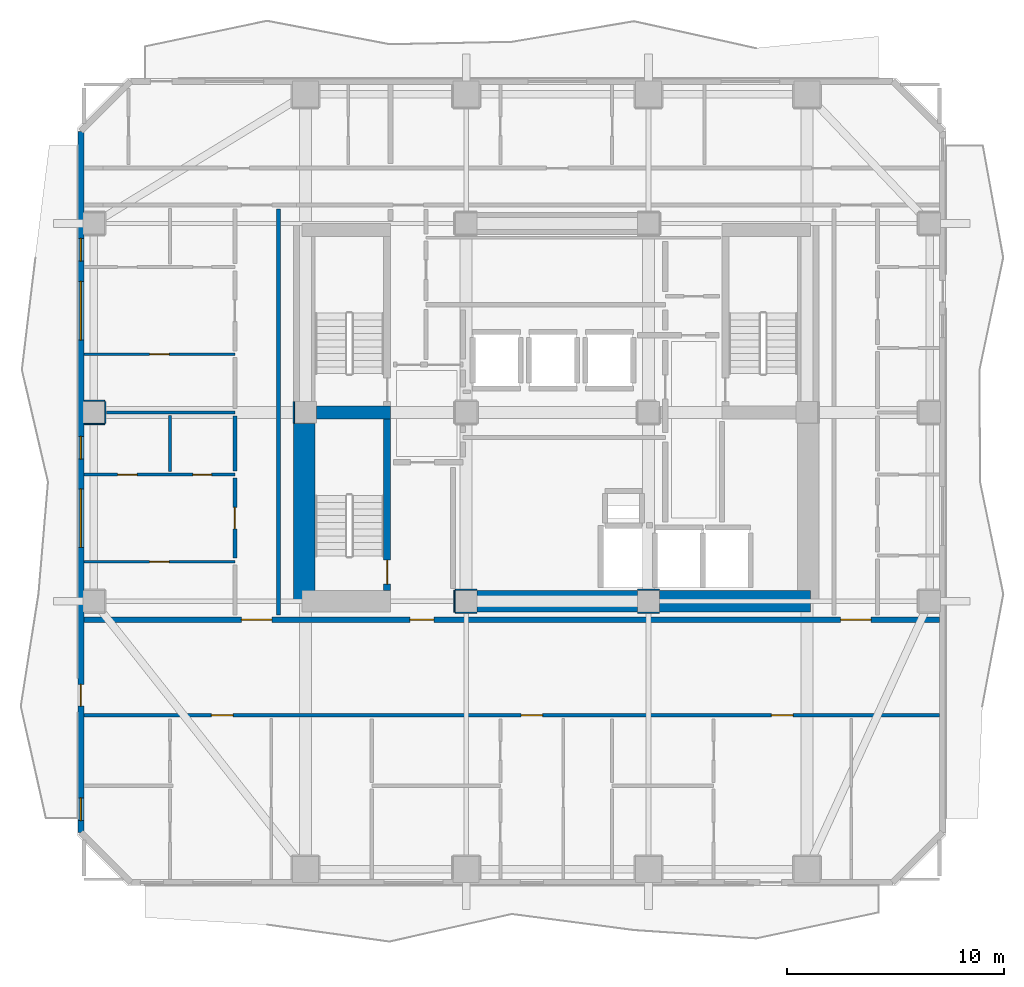
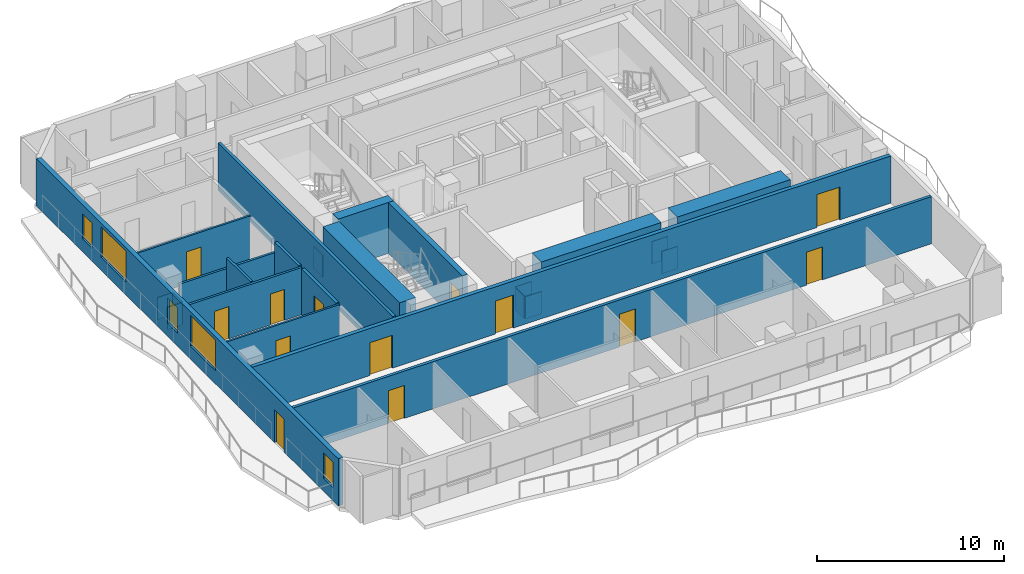
# One storey, part 3 of 11: 25 walls, 13 doors, 5 windows, 18 openings.
"""IFC4 building model written with IfcOpenShell, lengths in metres."""

from ifc_helpers import new_model, si_unit, direction, frame, frame_2d, origin, place, context, subcontext, project, spatial, rectangle, extrude, material, layer, layer_set, type_object, element, fill, save


model = new_model("IFC4")

# Units and contexts
model_context = context("Model", 3, precision=1e-05, world=origin(), true_north=direction((0.0, 1.0)))
body_context = subcontext(model_context, "Body", "Model", "MODEL_VIEW")
ifc_project = project(units=[si_unit("LENGTHUNIT", "METRE"), si_unit("AREAUNIT", "SQUARE_METRE"), si_unit("VOLUMEUNIT", "CUBIC_METRE"), si_unit("PLANEANGLEUNIT", "RADIAN"), si_unit("MASSUNIT", "GRAM", prefix="KILO")], contexts=[model_context])

# Site, building, storey
site_placement = place(None, origin())
site = spatial("IfcSite", under=ifc_project, at=site_placement, CompositionType="ELEMENT")
building_placement = place(site_placement, origin())
building = spatial("IfcBuilding", under=site, at=building_placement, Name="Solanera Arch Residences", CompositionType="ELEMENT")
storey_placement = place(building_placement, frame((0.0, 0.0, 109.39990234375)))
storey = spatial("IfcBuildingStorey", under=building, at=storey_placement, Name="L31", CompositionType="ELEMENT", Elevation=109.39990234375)

# Walls
ifc_material_1 = material(Name="Fire-Rated Gypsum Stud Partition", Category="gypsum")
ifc_layer_1 = layer(ifc_material_1, 0.06005859375)
ifc_layer_set_1 = layer_set([ifc_layer_1], Name="Fire-Rated Gypsum Stud Partition")
wall_type_1 = type_object("IfcWallType", Name="Column Acoustic Furring Wall 60", PredefinedType="PARTITIONING", material=ifc_layer_set_1)
for number, where, z_axis, x_axis, name in (
    (1, (20.300048828125, 21.468017578125, 0.0), (0.0, 0.0, 1.0), (1.0, 0.0, 0.0), "L31 Column Furring 1S"),
    (2, (20.300048828125, 22.531982421875, 0.0), (0.0, 0.0, 1.0), (1.0, 0.0, 0.0), "L31 Column Furring 1N"),
    (3, (20.26806640625, 21.5, 0.0), (0.0, 0.0, 1.0), (0.0, 1.0, 0.0), "L31 Column Furring 1W"),
    (4, (28.699951171875, 21.468017578125, 0.0), (0.0, 0.0, 1.0), (1.0, 0.0, 0.0), "L31 Column Furring 2S"),
    (5, (28.699951171875, 22.531982421875, 0.0), (0.0, 0.0, 1.0), (1.0, 0.0, 0.0), "L31 Column Furring 2N"),
):
    element("IfcWall", number, at=place(storey_placement, frame(where, z_axis=z_axis, x_axis=x_axis)), inside=storey, type_object=wall_type_1, Name=name, PredefinedType="PARTITIONING", context=body_context, shape_type="SweptSolid", body=[
        extrude(rectangle(XDim=1.0, YDim=0.06005859375, at=frame_2d((0.5, 0.0))), origin(), (0.0, 0.0, 1.0), 1.4501953125),
    ])
wall_1_placement = place(storey_placement, frame((12.867919921875, 30.2099609375, 0.0), z_axis=(0.0, 0.0, 1.0), x_axis=(0.0, 1.0, 0.0)))
element("IfcWall", 6, at=wall_1_placement, inside=storey, type_object=wall_type_1, Name="L31 Column Furring 5W", PredefinedType="PARTITIONING", context=body_context, shape_type="SweptSolid", body=[
    extrude(rectangle(XDim=0.97998046875, YDim=0.06005859375, at=frame_2d((0.489990234375, 0.0))), origin(), (0.0, 0.0, 1.0), 1.4501953125),
])
for number, where, z_axis, x_axis, name in (
    (7, (3.2099609375, 30.16796875, 0.0), (0.0, 0.0, 1.0), (1.0, 0.0, 0.0), "L31 Column Furring 19S"),
    (8, (3.2099609375, 31.23193359375, 0.0), (0.0, 0.0, 1.0), (1.0, 0.0, 0.0), "L31 Column Furring 19N"),
):
    element("IfcWall", number, at=place(storey_placement, frame(where, z_axis=z_axis, x_axis=x_axis)), inside=storey, type_object=wall_type_1, Name=name, PredefinedType="PARTITIONING", context=body_context, shape_type="SweptSolid", body=[
        extrude(rectangle(XDim=0.93994140625, YDim=0.06005859375, at=frame_2d((0.469970703125, 0.0))), origin(), (0.0, 0.0, 1.0), 1.4501953125),
    ])
wall_2_placement = place(storey_placement, frame((4.181884765625, 30.199951171875, 0.0), z_axis=(0.0, 0.0, 1.0), x_axis=(0.0, 1.0, 0.0)))
element("IfcWall", 9, at=wall_2_placement, inside=storey, type_object=wall_type_1, Name="L31 Column Furring 19E", PredefinedType="PARTITIONING", context=body_context, shape_type="SweptSolid", body=[
    extrude(rectangle(XDim=1.0, YDim=0.06005859375, at=frame_2d((0.5, 0.0))), origin(), (0.0, 0.0, 1.0), 1.4501953125),
])
ifc_material_2 = material(Name="Concrete C55/67 (f'c = 60 MPa)", Category="concrete")
ifc_layer_2 = layer(ifc_material_2, 1.0)
ifc_layer_set_2 = layer_set([ifc_layer_2], Name="Concrete C55/67 (f'c = 60 MPa)")
wall_type_2 = type_object("IfcWallType", Name="Core Shear Wall CW-1000", PredefinedType="SHEAR", material=ifc_layer_set_2)
wall_3_placement = place(storey_placement, frame((13.340087890625, 22.0, 0.0), z_axis=(0.0, 0.0, 1.0), x_axis=(0.0, 1.0, 0.0)))
element("IfcWall", 10, at=wall_3_placement, inside=storey, type_object=wall_type_2, Name="L31 West Core South Shear Wall", PredefinedType="SHEAR", context=body_context, shape_type="SweptSolid", body=[
    extrude(rectangle(XDim=8.195068359375, YDim=1.0, at=frame_2d((4.09765625, 0.0))), origin(), (0.0, 0.0, 1.0), 3.320068359375),
])
wall_4_placement = place(storey_placement, frame((29.705078125, 22.0, 0.0), z_axis=(0.0, 0.0, 1.0), x_axis=(1.0, 0.0, 0.0)))
element("IfcWall", 11, at=wall_4_placement, inside=storey, type_object=wall_type_2, Name="L31 South-East Core Shear Wall", PredefinedType="SHEAR", context=body_context, shape_type="SweptSolid", body=[
    extrude(rectangle(XDim=6.954833984375, YDim=1.0, at=frame_2d((3.4775390625, 0.0))), origin(), (0.0, 0.0, 1.0), 3.320068359375),
])
wall_5_placement = place(storey_placement, frame((21.304931640625, 22.0, 0.0), z_axis=(0.0, 0.0, 1.0), x_axis=(1.0, 0.0, 0.0)))
element("IfcWall", 12, at=wall_5_placement, inside=storey, type_object=wall_type_2, Name="L31 Central South Core Shear Wall", PredefinedType="SHEAR", context=body_context, shape_type="SweptSolid", body=[
    extrude(rectangle(XDim=7.39013671875, YDim=1.0, at=frame_2d((3.695068359375, 0.0))), origin(), (0.0, 0.0, 1.0), 3.320068359375),
])

# Wall, opening, door
ifc_material_3 = material(Name="Concrete C40/50 (f'c = 45 MPa)", Category="concrete")
ifc_layer_3 = layer(ifc_material_3, 0.320068359375)
ifc_layer_set_3 = layer_set([ifc_layer_3], Name="Concrete C40/50 (f'c = 45 MPa)")
wall_type_3 = type_object("IfcWallType", Name="Core Shear Wall CW-320", PredefinedType="SHEAR", material=ifc_layer_set_3)
wall_6_placement = place(storey_placement, frame((17.159912109375, 22.5, 0.0), z_axis=(0.0, 0.0, 1.0), x_axis=(0.0, 1.0, 0.0)))
wall_6 = element("IfcWall", 13, at=wall_6_placement, inside=storey, type_object=wall_type_3, Name="L31 Stair ST-T3 East Shear Wall", PredefinedType="SHEAR", context=body_context, shape_type="SweptSolid", body=[
    extrude(rectangle(XDim=7.89990234375, YDim=0.320068359375, at=frame_2d((3.949951171875, 0.0))), origin(), (0.0, 0.0, 1.0), 3.320068359375),
])
opening_1_placement = place(wall_6_placement, frame((0.2900390625, 0.0, 0.0)))
opening_1 = element("IfcOpeningElement", 14, at=opening_1_placement, cuts=wall_6, Name="Opening DF-01", PredefinedType="OPENING", context=body_context, shape_type="SweptSolid", body=[
    extrude(rectangle(XDim=1.10009765625, YDim=2.14990234375, at=frame_2d((0.550048828125, 1.074951171875))), frame((0.0, 0.169921875, 0.0), z_axis=(0.0, -1.0, 0.0), x_axis=(1.0, 0.0, 0.0)), (0.0, 0.0, 1.0), 0.3401),
])
ifc_material_4 = material(Name="Fire-Rated Architectural Hardwood", Category="wood")
door_type_1 = type_object("IfcDoorType", Name="Stair Exit Fire Door DF-01", OperationType="NOTDEFINED", PredefinedType="DOOR", material=ifc_material_4)
door_1_placement = place(opening_1_placement, origin())
door_1 = element("IfcDoor", 15, at=door_1_placement, inside=storey, type_object=door_type_1, Name="DR-L31-STAIR-ST-T3", OperationType="SINGLE_SWING_LEFT", OverallHeight=2.14990234375, OverallWidth=1.10009765625, PredefinedType="DOOR", context=body_context, shape_type="SweptSolid", body=[
    extrude(rectangle(XDim=1.10009765625, YDim=2.14990234375, at=frame_2d((0.550048828125, 1.074951171875))), frame((0.0, 0.02490234375, 0.0), z_axis=(0.0, -1.0, 0.0), x_axis=(1.0, 0.0, 0.0)), (0.0, 0.0, 1.0), 0.050048828125),
])
fill(opening_1, door_1)

# Wall
ifc_material_5 = material(Name="Concrete C40/50 (f'c = 45 MPa)", Category="concrete")
ifc_layer_4 = layer(ifc_material_5, 0.60009765625)
ifc_layer_set_4 = layer_set([ifc_layer_4], Name="Concrete C40/50 (f'c = 45 MPa)")
wall_type_4 = type_object("IfcWallType", Name="Core Shear Wall CW-600", PredefinedType="SHEAR", material=ifc_layer_set_4)
wall_7_placement = place(storey_placement, frame((13.905029296875, 30.699951171875, 0.0), z_axis=(0.0, 0.0, 1.0), x_axis=(1.0, 0.0, 0.0)))
element("IfcWall", 16, at=wall_7_placement, inside=storey, type_object=wall_type_4, Name="L31 West Stair Divider Shear Wall", PredefinedType="SHEAR", context=body_context, shape_type="SweptSolid", body=[
    extrude(rectangle(XDim=3.4150390625, YDim=0.60009765625, at=frame_2d((1.70751953125, 0.0))), origin(), (0.0, 0.0, 1.0), 3.320068359375),
])

# Wall, openings, doors
ifc_material_6 = material(Name="Autoclaved Aerated Concrete Blockwork", Category="masonry")
ifc_layer_5 = layer(ifc_material_6, 0.179931640625)
ifc_layer_set_5 = layer_set([ifc_layer_5], Name="Autoclaved Aerated Concrete Blockwork")
wall_type_5 = type_object("IfcWallType", Name="Corridor Fire Partition 180", PredefinedType="PARTITIONING", material=ifc_layer_set_5)
wall_8_placement = place(storey_placement, frame((3.20703125, 16.75, 0.0), z_axis=(0.0, 0.0, 1.0), x_axis=(1.0, 0.0, 0.0)))
wall_8 = element("IfcWall", 17, at=wall_8_placement, inside=storey, type_object=wall_type_5, Name="L31 Interior Partition H7", PredefinedType="PARTITIONING", context=body_context, shape_type="SweptSolid", body=[
    extrude(rectangle(XDim=39.385986328125, YDim=0.179931640625, at=frame_2d((19.69287109375, 0.0))), origin(), (0.0, 0.0, 1.0), 3.080078125),
])
opening_2_placement = place(wall_8_placement, frame((5.85791015625, 0.0, 0.0)))
opening_2 = element("IfcOpeningElement", 18, at=opening_2_placement, cuts=wall_8, Name="Opening DI-01", PredefinedType="OPENING", context=body_context, shape_type="SweptSolid", body=[
    extrude(rectangle(XDim=1.0, YDim=2.14990234375, at=frame_2d((0.5, 1.074951171875))), frame((0.0, 0.10009765625, 0.0), z_axis=(0.0, -1.0, 0.0), x_axis=(1.0, 0.0, 0.0)), (0.0, 0.0, 1.0), 0.1999),
])
opening_3_placement = place(wall_8_placement, frame((20.12109375, 0.0, 0.0)))
opening_3 = element("IfcOpeningElement", 19, at=opening_3_placement, cuts=wall_8, Name="Opening DI-01", PredefinedType="OPENING", context=body_context, shape_type="SweptSolid", body=[
    extrude(rectangle(XDim=1.0, YDim=2.14990234375, at=frame_2d((0.5, 1.074951171875))), frame((0.0, 0.10009765625, 0.0), z_axis=(0.0, -1.0, 0.0), x_axis=(1.0, 0.0, 0.0)), (0.0, 0.0, 1.0), 0.1999),
])
opening_4_placement = place(wall_8_placement, frame((31.654052734375, 0.0, 0.0)))
opening_4 = element("IfcOpeningElement", 20, at=opening_4_placement, cuts=wall_8, Name="Opening DI-01", PredefinedType="OPENING", context=body_context, shape_type="SweptSolid", body=[
    extrude(rectangle(XDim=1.0, YDim=2.14990234375, at=frame_2d((0.5, 1.074951171875))), frame((0.0, 0.10009765625, 0.0), z_axis=(0.0, -1.0, 0.0), x_axis=(1.0, 0.0, 0.0)), (0.0, 0.0, 1.0), 0.1999),
])
ifc_material_7 = material(Name="Fire-Rated Architectural Hardwood", Category="wood")
door_type_2 = type_object("IfcDoorType", Name="Unit Entrance Fire Door DI-01", OperationType="NOTDEFINED", PredefinedType="DOOR", material=ifc_material_7)
door_2_placement = place(opening_2_placement, origin())
door_2 = element("IfcDoor", 21, at=door_2_placement, inside=storey, type_object=door_type_2, Name="DR-L31-IN-017", OperationType="SINGLE_SWING_LEFT", OverallHeight=2.14990234375, OverallWidth=1.0, PredefinedType="DOOR", context=body_context, shape_type="SweptSolid", body=[
    extrude(rectangle(XDim=1.0, YDim=2.14990234375, at=frame_2d((0.5, 1.074951171875))), frame((0.0, 0.02490234375, 0.0), z_axis=(0.0, -1.0, 0.0), x_axis=(1.0, 0.0, 0.0)), (0.0, 0.0, 1.0), 0.050048828125),
])
fill(opening_2, door_2)
door_3_placement = place(opening_3_placement, origin())
door_3 = element("IfcDoor", 22, at=door_3_placement, inside=storey, type_object=door_type_2, Name="DR-L31-IN-021", OperationType="SINGLE_SWING_LEFT", OverallHeight=2.14990234375, OverallWidth=1.0, PredefinedType="DOOR", context=body_context, shape_type="SweptSolid", body=[
    extrude(rectangle(XDim=1.0, YDim=2.14990234375, at=frame_2d((0.5, 1.074951171875))), frame((0.0, 0.02490234375, 0.0), z_axis=(0.0, -1.0, 0.0), x_axis=(1.0, 0.0, 0.0)), (0.0, 0.0, 1.0), 0.050048828125),
])
fill(opening_3, door_3)
door_4_placement = place(opening_4_placement, origin())
door_4 = element("IfcDoor", 23, at=door_4_placement, inside=storey, type_object=door_type_2, Name="DR-L31-IN-025", OperationType="SINGLE_SWING_LEFT", OverallHeight=2.14990234375, OverallWidth=1.0, PredefinedType="DOOR", context=body_context, shape_type="SweptSolid", body=[
    extrude(rectangle(XDim=1.0, YDim=2.14990234375, at=frame_2d((0.5, 1.074951171875))), frame((0.0, 0.02490234375, 0.0), z_axis=(0.0, -1.0, 0.0), x_axis=(1.0, 0.0, 0.0)), (0.0, 0.0, 1.0), 0.050048828125),
])
fill(opening_4, door_4)

# Wall, opening, door
wall_9_placement = place(storey_placement, frame((10.14990234375, 23.98193359375, 0.0), z_axis=(0.0, 0.0, 1.0), x_axis=(0.0, 1.0, 0.0)))
wall_9 = element("IfcWall", 24, at=wall_9_placement, inside=storey, type_object=wall_type_5, Name="L31 Interior Partition V9 2", PredefinedType="PARTITIONING", context=body_context, shape_type="SweptSolid", body=[
    extrude(rectangle(XDim=3.68505859375, YDim=0.179931640625, at=frame_2d((1.842529296875, 0.0))), origin(), (0.0, 0.0, 1.0), 3.080078125),
])
opening_5_placement = place(wall_9_placement, frame((1.347900390625, 0.0, 0.0)))
opening_5 = element("IfcOpeningElement", 25, at=opening_5_placement, cuts=wall_9, Name="Opening DI-01", PredefinedType="OPENING", context=body_context, shape_type="SweptSolid", body=[
    extrude(rectangle(XDim=1.0, YDim=2.14990234375, at=frame_2d((0.5, 1.074951171875))), frame((0.0, 0.10009765625, 0.0), z_axis=(0.0, -1.0, 0.0), x_axis=(1.0, 0.0, 0.0)), (0.0, 0.0, 1.0), 0.1999),
])
door_5_placement = place(opening_5_placement, origin())
door_5 = element("IfcDoor", 26, at=door_5_placement, inside=storey, type_object=door_type_2, Name="DR-L31-IN-036", OperationType="SINGLE_SWING_RIGHT", OverallHeight=2.14990234375, OverallWidth=1.0, PredefinedType="DOOR", context=body_context, shape_type="SweptSolid", body=[
    extrude(rectangle(XDim=1.0, YDim=2.14990234375, at=frame_2d((0.5, 1.074951171875))), frame((0.0, 0.02490234375, 0.0), z_axis=(0.0, -1.0, 0.0), x_axis=(1.0, 0.0, 0.0)), (0.0, 0.0, 1.0), 0.050048828125),
])
fill(opening_5, door_5)

# Walls
wall_10_placement = place(storey_placement, frame((10.14990234375, 28.0029296875, 0.0), z_axis=(0.0, 0.0, 1.0), x_axis=(0.0, 1.0, 0.0)))
element("IfcWall", 27, at=wall_10_placement, inside=storey, type_object=wall_type_5, Name="L31 Interior Partition V9 3", PredefinedType="PARTITIONING", context=body_context, shape_type="SweptSolid", body=[
    extrude(rectangle(XDim=2.529052734375, YDim=0.179931640625, at=frame_2d((1.2646484375, 0.0))), origin(), (0.0, 0.0, 1.0), 3.080078125),
])
wall_11_placement = place(storey_placement, frame((12.14990234375, 21.367919921875, 0.0), z_axis=(0.0, 0.0, 1.0), x_axis=(0.0, 1.0, 0.0)))
element("IfcWall", 28, at=wall_11_placement, inside=storey, type_object=wall_type_5, Name="L31 Interior Partition V10", PredefinedType="PARTITIONING", context=body_context, shape_type="SweptSolid", body=[
    extrude(rectangle(XDim=18.694091796875, YDim=0.179931640625, at=frame_2d((9.34716796875, 0.0))), origin(), (0.0, 0.0, 1.0), 3.080078125),
])

# Wall, openings, door, windows
ifc_material_8 = material(Name="Precast Concrete C35/45", Category="concrete")
ifc_layer_6 = layer(ifc_material_8, 0.280029296875)
ifc_layer_set_6 = layer_set([ifc_layer_6], Name="Precast Concrete C35/45")
wall_type_6 = type_object("IfcWallType", Name="Exterior Wall Precast Masonry-Frame 280", PredefinedType="STANDARD", material=ifc_layer_set_6)
wall_12_placement = place(storey_placement, frame((3.054931640625, 11.35498046875, 0.0), z_axis=(0.0, 0.0, 1.0), x_axis=(0.0, 1.0, 0.0)))
wall_12 = element("IfcWall", 29, at=wall_12_placement, inside=storey, type_object=wall_type_6, Name="L31 Tower Exterior Precast Masonry-Frame Wall W", PredefinedType="STANDARD", context=body_context, shape_type="SweptSolid", body=[
    extrude(rectangle(XDim=32.2900390625, YDim=0.280029296875, at=frame_2d((16.14501953125, 0.0))), origin(), (0.0, 0.0, 1.0), 3.080078125),
])
opening_6_placement = place(wall_12_placement, frame((5.818115234375, 0.0, 0.0)))
opening_6 = element("IfcOpeningElement", 30, at=opening_6_placement, cuts=wall_12, Name="Opening DB-01", PredefinedType="OPENING", context=body_context, shape_type="SweptSolid", body=[
    extrude(rectangle(XDim=1.0, YDim=2.14990234375, at=frame_2d((0.5, 1.074951171875))), frame((0.0, 0.14990234375, 0.0), z_axis=(0.0, -1.0, 0.0), x_axis=(1.0, 0.0, 0.0)), (0.0, 0.0, 1.0), 0.3),
])
opening_7_placement = place(wall_12_placement, frame((0.544921875, 0.0, 0.85009765625)))
opening_7 = element("IfcOpeningElement", 31, at=opening_7_placement, cuts=wall_12, Name="Opening W-07", PredefinedType="OPENING", context=body_context, shape_type="SweptSolid", body=[
    extrude(rectangle(XDim=1.050048828125, YDim=1.64990234375, at=frame_2d((0.52490234375, 0.824951171875))), frame((0.0, 0.14990234375, 0.0), z_axis=(0.0, -1.0, 0.0), x_axis=(1.0, 0.0, 0.0)), (0.0, 0.0, 1.0), 0.3),
])
opening_8_placement = place(wall_12_placement, frame((13.1240234375, 0.0, 0.85009765625)))
opening_8 = element("IfcOpeningElement", 32, at=opening_8_placement, cuts=wall_12, Name="Opening W-09", PredefinedType="OPENING", context=body_context, shape_type="SweptSolid", body=[
    extrude(rectangle(XDim=2.699951171875, YDim=2.0, at=frame_2d((1.35009765625, 1.0))), frame((0.0, 0.14990234375, 0.0), z_axis=(0.0, -1.0, 0.0), x_axis=(1.0, 0.0, 0.0)), (0.0, 0.0, 1.0), 0.3),
])
opening_9_placement = place(wall_12_placement, frame((17.18798828125, 0.0, 0.85009765625)))
opening_9 = element("IfcOpeningElement", 33, at=opening_9_placement, cuts=wall_12, Name="Opening W-07", PredefinedType="OPENING", context=body_context, shape_type="SweptSolid", body=[
    extrude(rectangle(XDim=1.050048828125, YDim=1.64990234375, at=frame_2d((0.52490234375, 0.824951171875))), frame((0.0, 0.14990234375, 0.0), z_axis=(0.0, -1.0, 0.0), x_axis=(1.0, 0.0, 0.0)), (0.0, 0.0, 1.0), 0.3),
])
opening_10_placement = place(wall_12_placement, frame((22.674072265625, 0.0, 0.85009765625)))
opening_10 = element("IfcOpeningElement", 34, at=opening_10_placement, cuts=wall_12, Name="Opening W-09", PredefinedType="OPENING", context=body_context, shape_type="SweptSolid", body=[
    extrude(rectangle(XDim=2.699951171875, YDim=2.0, at=frame_2d((1.35009765625, 1.0))), frame((0.0, 0.14990234375, 0.0), z_axis=(0.0, -1.0, 0.0), x_axis=(1.0, 0.0, 0.0)), (0.0, 0.0, 1.0), 0.3),
])
opening_11_placement = place(wall_12_placement, frame((26.31201171875, 0.0, 0.85009765625)))
opening_11 = element("IfcOpeningElement", 35, at=opening_11_placement, cuts=wall_12, Name="Opening W-07", PredefinedType="OPENING", context=body_context, shape_type="SweptSolid", body=[
    extrude(rectangle(XDim=1.050048828125, YDim=1.64990234375, at=frame_2d((0.52490234375, 0.824951171875))), frame((0.0, 0.14990234375, 0.0), z_axis=(0.0, -1.0, 0.0), x_axis=(1.0, 0.0, 0.0)), (0.0, 0.0, 1.0), 0.3),
])
ifc_material_9 = material(Name="Anodised Aluminium Alloy 6063-T6", Category="aluminium")
door_type_3 = type_object("IfcDoorType", Name="Glazed Balcony Swing Door DB-01", OperationType="NOTDEFINED", PredefinedType="DOOR", material=ifc_material_9)
door_6_placement = place(opening_6_placement, origin())
door_6 = element("IfcDoor", 36, at=door_6_placement, inside=storey, type_object=door_type_3, Name="DR-L31-OUT-04", OperationType="SINGLE_SWING_RIGHT", OverallHeight=2.14990234375, OverallWidth=1.0, PredefinedType="DOOR", context=body_context, shape_type="SweptSolid", body=[
    extrude(rectangle(XDim=1.0, YDim=2.14990234375, at=frame_2d((0.5, 1.074951171875))), frame((0.0, 0.02490234375, 0.0), z_axis=(0.0, -1.0, 0.0), x_axis=(1.0, 0.0, 0.0)), (0.0, 0.0, 1.0), 0.050048828125),
])
fill(opening_6, door_6)
ifc_material_10 = material(Name="Double Glazed Low-E Laminated Glass", Category="glass")
window_type_1 = type_object("IfcWindowType", Name="Punched Window W-07", PartitioningType="SINGLE_PANEL", PredefinedType="WINDOW", material=ifc_material_10)
window_1_placement = place(opening_7_placement, origin())
window_1 = element("IfcWindow", 37, at=window_1_placement, inside=storey, type_object=window_type_1, Name="L31 3101-BR1 Punched Window", OverallHeight=1.64990234375, OverallWidth=1.050048828125, PartitioningType="SINGLE_PANEL", PredefinedType="WINDOW", context=body_context, shape_type="SweptSolid", body=[
    extrude(rectangle(XDim=1.050048828125, YDim=1.64990234375, at=frame_2d((0.52490234375, 0.824951171875))), frame((0.0, 0.030029296875, 0.0), z_axis=(0.0, -1.0, 0.0), x_axis=(1.0, 0.0, 0.0)), (0.0, 0.0, 1.0), 0.06005859375),
])
fill(opening_7, window_1)
window_2_placement = place(opening_9_placement, origin())
window_2 = element("IfcWindow", 38, at=window_2_placement, inside=storey, type_object=window_type_1, Name="L31 3106-BR1 Punched Window", OverallHeight=1.64990234375, OverallWidth=1.050048828125, PartitioningType="SINGLE_PANEL", PredefinedType="WINDOW", context=body_context, shape_type="SweptSolid", body=[
    extrude(rectangle(XDim=1.050048828125, YDim=1.64990234375, at=frame_2d((0.52490234375, 0.824951171875))), frame((0.0, 0.030029296875, 0.0), z_axis=(0.0, -1.0, 0.0), x_axis=(1.0, 0.0, 0.0)), (0.0, 0.0, 1.0), 0.06005859375),
])
fill(opening_9, window_2)
window_3_placement = place(opening_11_placement, origin())
window_3 = element("IfcWindow", 39, at=window_3_placement, inside=storey, type_object=window_type_1, Name="L31 3107-BR1 Punched Window", OverallHeight=1.64990234375, OverallWidth=1.050048828125, PartitioningType="SINGLE_PANEL", PredefinedType="WINDOW", context=body_context, shape_type="SweptSolid", body=[
    extrude(rectangle(XDim=1.050048828125, YDim=1.64990234375, at=frame_2d((0.52490234375, 0.824951171875))), frame((0.0, 0.030029296875, 0.0), z_axis=(0.0, -1.0, 0.0), x_axis=(1.0, 0.0, 0.0)), (0.0, 0.0, 1.0), 0.06005859375),
])
fill(opening_11, window_3)
ifc_material_11 = material(Name="Double Glazed Low-E Laminated Glass", Category="glass")
window_type_2 = type_object("IfcWindowType", Name="Punched Window W-09", PartitioningType="TRIPLE_PANEL_VERTICAL", PredefinedType="WINDOW", material=ifc_material_11)
window_4_placement = place(opening_8_placement, origin())
window_4 = element("IfcWindow", 40, at=window_4_placement, inside=storey, type_object=window_type_2, Name="L31 3106-LIV Punched Window", OverallHeight=2.0, OverallWidth=2.699951171875, PartitioningType="SINGLE_PANEL", PredefinedType="WINDOW", context=body_context, shape_type="SweptSolid", body=[
    extrude(rectangle(XDim=2.699951171875, YDim=2.0, at=frame_2d((1.35009765625, 1.0))), frame((0.0, 0.030029296875, 0.0), z_axis=(0.0, -1.0, 0.0), x_axis=(1.0, 0.0, 0.0)), (0.0, 0.0, 1.0), 0.06005859375),
])
fill(opening_8, window_4)
window_5_placement = place(opening_10_placement, origin())
window_5 = element("IfcWindow", 41, at=window_5_placement, inside=storey, type_object=window_type_2, Name="L31 3107-LIV Punched Window", OverallHeight=2.0, OverallWidth=2.699951171875, PartitioningType="SINGLE_PANEL", PredefinedType="WINDOW", context=body_context, shape_type="SweptSolid", body=[
    extrude(rectangle(XDim=2.699951171875, YDim=2.0, at=frame_2d((1.35009765625, 1.0))), frame((0.0, 0.030029296875, 0.0), z_axis=(0.0, -1.0, 0.0), x_axis=(1.0, 0.0, 0.0)), (0.0, 0.0, 1.0), 0.06005859375),
])
fill(opening_10, window_5)

# Wall, openings, doors
ifc_material_12 = material(Name="Autoclaved Aerated Concrete Blockwork", Category="masonry")
ifc_layer_7 = layer(ifc_material_12, 0.239990234375)
ifc_layer_set_7 = layer_set([ifc_layer_7], Name="Autoclaved Aerated Concrete Blockwork")
wall_type_7 = type_object("IfcWallType", Name="Shaft Wall Fire-Rated 240", PredefinedType="PARTITIONING", material=ifc_layer_set_7)
wall_13_placement = place(storey_placement, frame((3.20703125, 21.14990234375, 0.0), z_axis=(0.0, 0.0, 1.0), x_axis=(1.0, 0.0, 0.0)))
wall_13 = element("IfcWall", 42, at=wall_13_placement, inside=storey, type_object=wall_type_7, Name="L31 Interior Partition H1", PredefinedType="PARTITIONING", context=body_context, shape_type="SweptSolid", body=[
    extrude(rectangle(XDim=39.385986328125, YDim=0.239990234375, at=frame_2d((19.69287109375, 0.0))), origin(), (0.0, 0.0, 1.0), 3.080078125),
])
opening_12_placement = place(wall_13_placement, frame((15.0029296875, 0.0, 0.0)))
opening_12 = element("IfcOpeningElement", 43, at=opening_12_placement, cuts=wall_13, Name="Opening DF-02", PredefinedType="OPENING", context=body_context, shape_type="SweptSolid", body=[
    extrude(rectangle(XDim=1.10009765625, YDim=2.14990234375, at=frame_2d((0.550048828125, 1.074951171875))), frame((0.0, 0.1298828125, 0.0), z_axis=(0.0, -1.0, 0.0), x_axis=(1.0, 0.0, 0.0)), (0.0, 0.0, 1.0), 0.26),
])
opening_13_placement = place(wall_13_placement, frame((7.242919921875, 0.0, 0.0)))
opening_13 = element("IfcOpeningElement", 44, at=opening_13_placement, cuts=wall_13, Name="Opening DF-03", PredefinedType="OPENING", context=body_context, shape_type="SweptSolid", body=[
    extrude(rectangle(XDim=1.39990234375, YDim=2.14990234375, at=frame_2d((0.699951171875, 1.074951171875))), frame((0.0, 0.1298828125, 0.0), z_axis=(0.0, -1.0, 0.0), x_axis=(1.0, 0.0, 0.0)), (0.0, 0.0, 1.0), 0.26),
])
opening_14_placement = place(wall_13_placement, frame((34.843017578125, 0.0, 0.0)))
opening_14 = element("IfcOpeningElement", 45, at=opening_14_placement, cuts=wall_13, Name="Opening DF-03", PredefinedType="OPENING", context=body_context, shape_type="SweptSolid", body=[
    extrude(rectangle(XDim=1.39990234375, YDim=2.14990234375, at=frame_2d((0.699951171875, 1.074951171875))), frame((0.0, 0.1298828125, 0.0), z_axis=(0.0, -1.0, 0.0), x_axis=(1.0, 0.0, 0.0)), (0.0, 0.0, 1.0), 0.26),
])
ifc_material_13 = material(Name="Fire-Rated Architectural Hardwood", Category="wood")
door_type_4 = type_object("IfcDoorType", Name="Corridor Smoke Door DF-03", OperationType="NOTDEFINED", PredefinedType="DOOR", material=ifc_material_13)
door_7_placement = place(opening_13_placement, origin())
door_7 = element("IfcDoor", 46, at=door_7_placement, inside=storey, type_object=door_type_4, Name="DR-L31-IN-010", OperationType="SINGLE_SWING_RIGHT", OverallHeight=2.14990234375, OverallWidth=1.39990234375, PredefinedType="DOOR", context=body_context, shape_type="SweptSolid", body=[
    extrude(rectangle(XDim=1.39990234375, YDim=2.14990234375, at=frame_2d((0.699951171875, 1.074951171875))), frame((0.0, 0.02490234375, 0.0), z_axis=(0.0, -1.0, 0.0), x_axis=(1.0, 0.0, 0.0)), (0.0, 0.0, 1.0), 0.050048828125),
])
fill(opening_13, door_7)
door_8_placement = place(opening_14_placement, origin())
door_8 = element("IfcDoor", 47, at=door_8_placement, inside=storey, type_object=door_type_4, Name="DR-L31-IN-011", OperationType="SINGLE_SWING_LEFT", OverallHeight=2.14990234375, OverallWidth=1.39990234375, PredefinedType="DOOR", context=body_context, shape_type="SweptSolid", body=[
    extrude(rectangle(XDim=1.39990234375, YDim=2.14990234375, at=frame_2d((0.699951171875, 1.074951171875))), frame((0.0, 0.02490234375, 0.0), z_axis=(0.0, -1.0, 0.0), x_axis=(1.0, 0.0, 0.0)), (0.0, 0.0, 1.0), 0.050048828125),
])
fill(opening_14, door_8)
ifc_material_14 = material(Name="Fire-Rated Architectural Hardwood", Category="wood")
door_type_5 = type_object("IfcDoorType", Name="Firefighting Lobby Fire Door DF-02", OperationType="NOTDEFINED", PredefinedType="DOOR", material=ifc_material_14)
door_9_placement = place(opening_12_placement, origin())
door_9 = element("IfcDoor", 48, at=door_9_placement, inside=storey, type_object=door_type_5, Name="DR-L31-IN-008", OperationType="SINGLE_SWING_RIGHT", OverallHeight=2.14990234375, OverallWidth=1.10009765625, PredefinedType="DOOR", context=body_context, shape_type="SweptSolid", body=[
    extrude(rectangle(XDim=1.10009765625, YDim=2.14990234375, at=frame_2d((0.550048828125, 1.074951171875))), frame((0.0, 0.02490234375, 0.0), z_axis=(0.0, -1.0, 0.0), x_axis=(1.0, 0.0, 0.0)), (0.0, 0.0, 1.0), 0.050048828125),
])
fill(opening_12, door_9)

# Wall, opening, door
ifc_material_15 = material(Name="Fire-Rated Gypsum Stud Partition", Category="gypsum")
ifc_layer_8 = layer(ifc_material_15, 0.1201171875)
ifc_layer_set_8 = layer_set([ifc_layer_8], Name="Fire-Rated Gypsum Stud Partition")
wall_type_8 = type_object("IfcWallType", Name="Unit Drywall Partition 120", PredefinedType="PARTITIONING", material=ifc_layer_set_8)
wall_14_placement = place(storey_placement, frame((3.20703125, 23.823974609375, 0.0), z_axis=(0.0, 0.0, 1.0), x_axis=(1.0, 0.0, 0.0)))
wall_14 = element("IfcWall", 49, at=wall_14_placement, inside=storey, type_object=wall_type_8, Name="L31 Interior Partition H26", PredefinedType="PARTITIONING", context=body_context, shape_type="SweptSolid", body=[
    extrude(rectangle(XDim=6.94287109375, YDim=0.1201171875, at=frame_2d((3.471435546875, 0.0))), origin(), (0.0, 0.0, 1.0), 3.080078125),
])
opening_15_placement = place(wall_14_placement, frame((3.01806640625, 0.0, 0.0)))
opening_15 = element("IfcOpeningElement", 50, at=opening_15_placement, cuts=wall_14, Name="Opening DI-02", PredefinedType="OPENING", context=body_context, shape_type="SweptSolid", body=[
    extrude(rectangle(XDim=0.89990234375, YDim=2.10009765625, at=frame_2d((0.449951171875, 1.050048828125))), frame((0.0, 0.070068359375, 0.0), z_axis=(0.0, -1.0, 0.0), x_axis=(1.0, 0.0, 0.0)), (0.0, 0.0, 1.0), 0.1401),
])
ifc_material_16 = material(Name="Fire-Rated Architectural Hardwood", Category="wood")
door_type_6 = type_object("IfcDoorType", Name="Suite Room Swing Door DI-02", OperationType="NOTDEFINED", PredefinedType="DOOR", material=ifc_material_16)
door_10_placement = place(opening_15_placement, origin())
door_10 = element("IfcDoor", 51, at=door_10_placement, inside=storey, type_object=door_type_6, Name="DR-L31-IN-037", OperationType="SINGLE_SWING_LEFT", OverallHeight=2.10009765625, OverallWidth=0.89990234375, PredefinedType="DOOR", context=body_context, shape_type="SweptSolid", body=[
    extrude(rectangle(XDim=0.89990234375, YDim=2.10009765625, at=frame_2d((0.449951171875, 1.050048828125))), frame((0.0, 0.02490234375, 0.0), z_axis=(0.0, -1.0, 0.0), x_axis=(1.0, 0.0, 0.0)), (0.0, 0.0, 1.0), 0.050048828125),
])
fill(opening_15, door_10)

wall_15_placement = place(storey_placement, frame((3.20703125, 33.3740234375, 0.0), z_axis=(0.0, 0.0, 1.0), x_axis=(1.0, 0.0, 0.0)))
wall_15 = element("IfcWall", 52, at=wall_15_placement, inside=storey, type_object=wall_type_8, Name="L31 Interior Partition H27", PredefinedType="PARTITIONING", context=body_context, shape_type="SweptSolid", body=[
    extrude(rectangle(XDim=6.94287109375, YDim=0.1201171875, at=frame_2d((3.471435546875, 0.0))), origin(), (0.0, 0.0, 1.0), 3.080078125),
])
opening_16_placement = place(wall_15_placement, frame((3.01806640625, 0.0, 0.0)))
opening_16 = element("IfcOpeningElement", 53, at=opening_16_placement, cuts=wall_15, Name="Opening DI-02", PredefinedType="OPENING", context=body_context, shape_type="SweptSolid", body=[
    extrude(rectangle(XDim=0.89990234375, YDim=2.10009765625, at=frame_2d((0.449951171875, 1.050048828125))), frame((0.0, 0.070068359375, 0.0), z_axis=(0.0, -1.0, 0.0), x_axis=(1.0, 0.0, 0.0)), (0.0, 0.0, 1.0), 0.1401),
])
door_11_placement = place(opening_16_placement, origin())
door_11 = element("IfcDoor", 54, at=door_11_placement, inside=storey, type_object=door_type_6, Name="DR-L31-IN-041", OperationType="SINGLE_SWING_LEFT", OverallHeight=2.10009765625, OverallWidth=0.89990234375, PredefinedType="DOOR", context=body_context, shape_type="SweptSolid", body=[
    extrude(rectangle(XDim=0.89990234375, YDim=2.10009765625, at=frame_2d((0.449951171875, 1.050048828125))), frame((0.0, 0.02490234375, 0.0), z_axis=(0.0, -1.0, 0.0), x_axis=(1.0, 0.0, 0.0)), (0.0, 0.0, 1.0), 0.050048828125),
])
fill(opening_16, door_11)

# Wall, openings, doors
ifc_material_17 = material(Name="Autoclaved Aerated Concrete Blockwork", Category="masonry")
ifc_layer_9 = layer(ifc_material_17, 0.139892578125)
ifc_layer_set_9 = layer_set([ifc_layer_9], Name="Autoclaved Aerated Concrete Blockwork")
wall_type_9 = type_object("IfcWallType", Name="Wet-Room Partition 140", PredefinedType="PARTITIONING", material=ifc_layer_set_9)
wall_16_placement = place(storey_placement, frame((3.20703125, 27.8349609375, 0.0), z_axis=(0.0, 0.0, 1.0), x_axis=(1.0, 0.0, 0.0)))
wall_16 = element("IfcWall", 55, at=wall_16_placement, inside=storey, type_object=wall_type_9, Name="L31 Interior Partition H17", PredefinedType="PARTITIONING", context=body_context, shape_type="SweptSolid", body=[
    extrude(rectangle(XDim=6.94287109375, YDim=0.139892578125, at=frame_2d((3.471435546875, 0.0))), origin(), (0.0, 0.0, 1.0), 3.080078125),
])
opening_17_placement = place(wall_16_placement, frame((5.006103515625, 0.0, 0.0)))
opening_17 = element("IfcOpeningElement", 56, at=opening_17_placement, cuts=wall_16, Name="Opening DI-05", PredefinedType="OPENING", context=body_context, shape_type="SweptSolid", body=[
    extrude(rectangle(XDim=0.860107421875, YDim=2.02001953125, at=frame_2d((0.43017578125, 1.010009765625))), frame((0.0, 0.079833984375, 0.0), z_axis=(0.0, -1.0, 0.0), x_axis=(1.0, 0.0, 0.0)), (0.0, 0.0, 1.0), 0.1599),
])
opening_18_placement = place(wall_16_placement, frame((1.537109375, 0.0, 0.0)))
opening_18 = element("IfcOpeningElement", 57, at=opening_18_placement, cuts=wall_16, Name="Opening DI-03", PredefinedType="OPENING", context=body_context, shape_type="SweptSolid", body=[
    extrude(rectangle(XDim=0.89990234375, YDim=2.10009765625, at=frame_2d((0.449951171875, 1.050048828125))), frame((0.0, 0.079833984375, 0.0), z_axis=(0.0, -1.0, 0.0), x_axis=(1.0, 0.0, 0.0)), (0.0, 0.0, 1.0), 0.1599),
])
ifc_material_18 = material(Name="Fire-Rated Architectural Hardwood", Category="wood")
door_type_7 = type_object("IfcDoorType", Name="Bathroom Swing Door DI-05", OperationType="NOTDEFINED", PredefinedType="DOOR", material=ifc_material_18)
door_12_placement = place(opening_17_placement, origin())
door_12 = element("IfcDoor", 58, at=door_12_placement, inside=storey, type_object=door_type_7, Name="DR-L31-IN-038", OperationType="SINGLE_SWING_RIGHT", OverallHeight=2.02001953125, OverallWidth=0.860107421875, PredefinedType="DOOR", context=body_context, shape_type="SweptSolid", body=[
    extrude(rectangle(XDim=0.860107421875, YDim=2.02001953125, at=frame_2d((0.43017578125, 1.010009765625))), frame((0.0, 0.02490234375, 0.0), z_axis=(0.0, -1.0, 0.0), x_axis=(1.0, 0.0, 0.0)), (0.0, 0.0, 1.0), 0.050048828125),
])
fill(opening_17, door_12)
ifc_material_19 = material(Name="Fire-Rated Architectural Hardwood", Category="wood")
door_type_8 = type_object("IfcDoorType", Name="Bedroom Swing Door DI-03", OperationType="NOTDEFINED", PredefinedType="DOOR", material=ifc_material_19)
door_13_placement = place(opening_18_placement, origin())
door_13 = element("IfcDoor", 59, at=door_13_placement, inside=storey, type_object=door_type_8, Name="DR-L31-IN-039", OperationType="SINGLE_SWING_LEFT", OverallHeight=2.10009765625, OverallWidth=0.89990234375, PredefinedType="DOOR", context=body_context, shape_type="SweptSolid", body=[
    extrude(rectangle(XDim=0.89990234375, YDim=2.10009765625, at=frame_2d((0.449951171875, 1.050048828125))), frame((0.0, 0.02490234375, 0.0), z_axis=(0.0, -1.0, 0.0), x_axis=(1.0, 0.0, 0.0)), (0.0, 0.0, 1.0), 0.050048828125),
])
fill(opening_18, door_13)

# Walls
wall_17_placement = place(storey_placement, frame((4.23193359375, 30.699951171875, 0.0), z_axis=(0.0, 0.0, 1.0), x_axis=(1.0, 0.0, 0.0)))
element("IfcWall", 60, at=wall_17_placement, inside=storey, type_object=wall_type_9, Name="L31 Interior Partition H19", PredefinedType="PARTITIONING", context=body_context, shape_type="SweptSolid", body=[
    extrude(rectangle(XDim=5.91796875, YDim=0.139892578125, at=frame_2d((2.958984375, 0.0))), origin(), (0.0, 0.0, 1.0), 2.315185546875),
])
wall_18_placement = place(storey_placement, frame((7.162109375, 27.98291015625, 0.0), z_axis=(0.0, 0.0, 1.0), x_axis=(0.0, 1.0, 0.0)))
element("IfcWall", 61, at=wall_18_placement, inside=storey, type_object=wall_type_9, Name="L31 Interior Partition V17", PredefinedType="PARTITIONING", context=body_context, shape_type="SweptSolid", body=[
    extrude(rectangle(XDim=2.569091796875, YDim=0.139892578125, at=frame_2d((1.28466796875, 0.0))), origin(), (0.0, 0.0, 1.0), 3.080078125),
])

save(model, "model.ifc")
